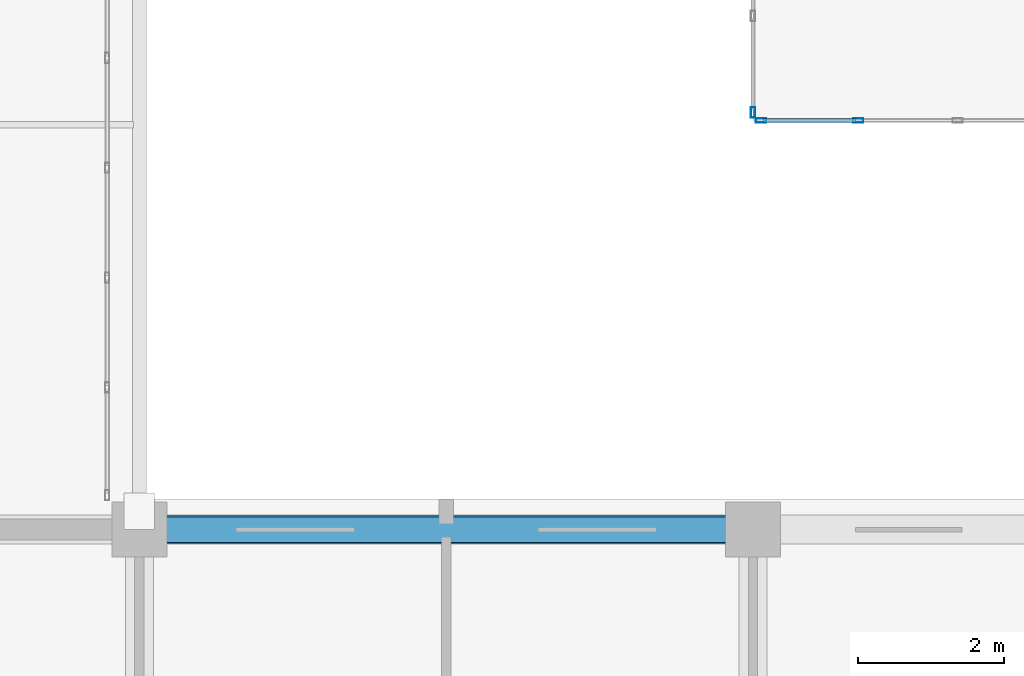
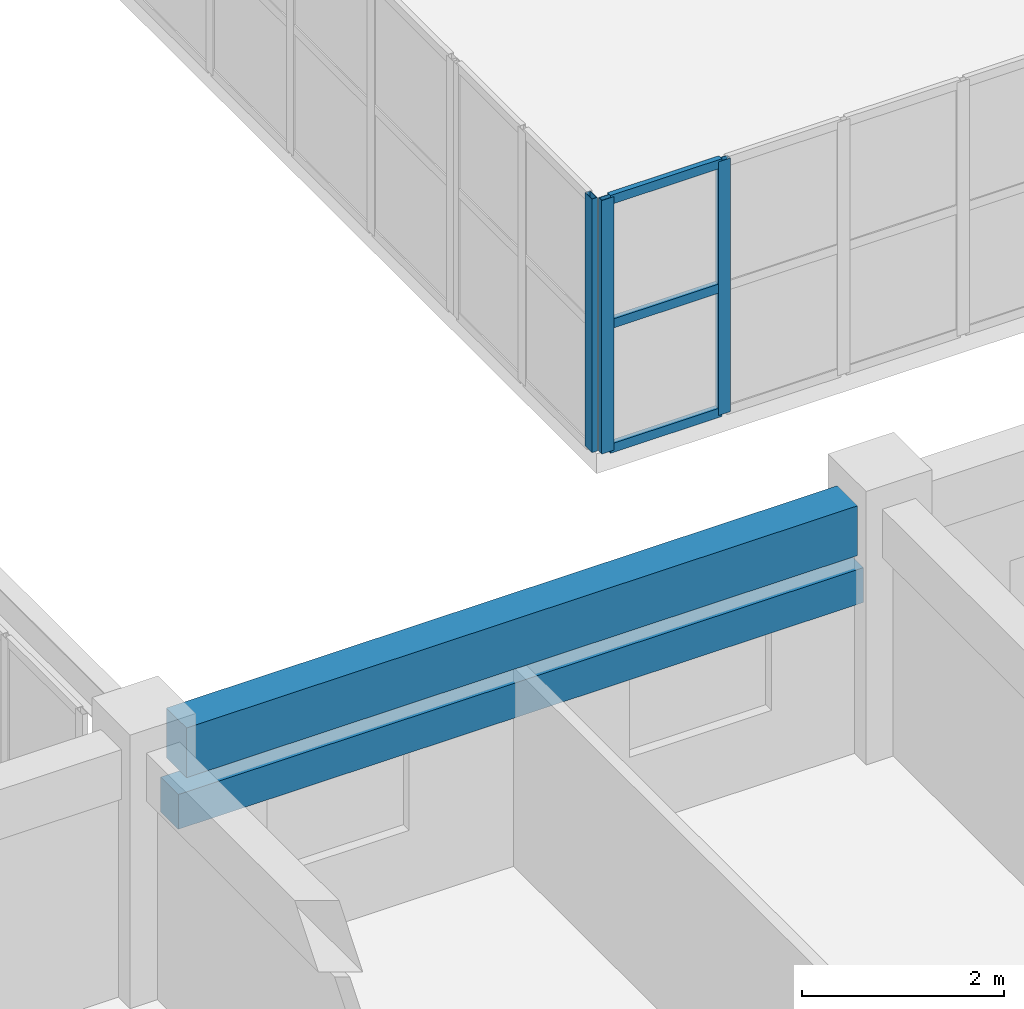
# One storey, part 51 of 200: 6 members, 2 beams, 2 elements without a shape of their own.
"""IFC4 building model written with IfcOpenShell, lengths in metres."""

from ifc_helpers import new_model, si_unit, direction, frame, origin, origin_2d, place, context, subcontext, project, spatial, rectangle, hollow_rectangle, extrude, material, layer, layer_set, material_profile, profile_set, type_object, element, aggregate, save


model = new_model("IFC4")

# Units and contexts
model_context = context("Model", 3, precision=1e-05, world=origin(), true_north=direction((0.0, 1.0)))
body_context = subcontext(model_context, "Body", "Model", "MODEL_VIEW")
ifc_project = project(units=[si_unit("LENGTHUNIT", "METRE"), si_unit("AREAUNIT", "SQUARE_METRE"), si_unit("VOLUMEUNIT", "CUBIC_METRE"), si_unit("PLANEANGLEUNIT", "RADIAN"), si_unit("MASSUNIT", "GRAM", prefix="KILO")], contexts=[model_context])

# Site, building, storey
site_placement = place(None, origin())
site = spatial("IfcSite", under=ifc_project, at=site_placement, CompositionType="ELEMENT")
building_placement = place(site_placement, origin())
building = spatial("IfcBuilding", under=site, at=building_placement, Name="Trelvath General Hospital", CompositionType="ELEMENT")
storey_placement = place(building_placement, frame((0.0, 0.0, 4.800048828125)))
storey = spatial("IfcBuildingStorey", under=building, at=storey_placement, Name="L01", CompositionType="ELEMENT", Elevation=4.800048828125)

# Beam
ifc_material_1 = material(Name="Concrete C35/45", Category="concrete")
ifc_material_profile_1 = material_profile(ifc_material_1, rectangle(XDim=0.39990234375, YDim=0.60009765625, at=origin_2d()), Name="RCB400x600")
ifc_profile_set_1 = profile_set([ifc_material_profile_1], Name="Concrete C35/45")
beam_type_1 = type_object("IfcBeamType", Name="Beam RC400x600", PredefinedType="BEAM", material=ifc_profile_set_1)
beam_1_placement = place(storey_placement, frame((84.3701171875, 25.199951171875, 2.719970703125), z_axis=(1.0, 0.0, 0.0), x_axis=(0.0, 1.0, 0.0)))
element("IfcBeam", 1, at=beam_1_placement, inside=storey, type_object=beam_type_1, Name="Grid Beam BX-110D", PredefinedType="BEAM", context=body_context, shape_type="SweptSolid", body=[
    extrude(rectangle(XDim=0.39990234375, YDim=0.60009765625, at=origin_2d()), origin(), (0.0, 0.0, 1.0), 7.659912109375),
])

# Curtain wall, members
ifc_material_2 = material(Name="Anodised aluminium and low-E glass", Category="aluminium")
ifc_layer_1 = layer(ifc_material_2, 0.14990234375)
ifc_layer_set_1 = layer_set([ifc_layer_1], Name="Anodised aluminium and low-E glass")
curtain_wall_type_1 = type_object("IfcCurtainWallType", Name="CW CrystalCube 817 306 15", PredefinedType="USERDEFINED", material=ifc_layer_set_1)
curtain_wall_1_placement = place(storey_placement, origin())
curtain_wall_1 = element("IfcCurtainWall", 2, at=curtain_wall_1_placement, inside=storey, type_object=curtain_wall_type_1, Name="Crystal Cube Curtain Wall CUBE-E-T0 S1 L01", ObjectType="Unitised Glazed Curtain Wall", PredefinedType="USERDEFINED")
ifc_material_3 = material(Name="Anodised aluminium", Category="aluminium")
ifc_material_profile_2 = material_profile(ifc_material_3, hollow_rectangle(XDim=0.06005859375, YDim=0.139892578125, WallThickness=0.00390625, at=origin_2d()), Name="RHS60x140x4")
ifc_profile_set_2 = profile_set([ifc_material_profile_2], Name="Anodised aluminium")
member_type_1 = type_object("IfcMemberType", Name="CurtainMullion 60x140", PredefinedType="MULLION", material=ifc_profile_set_2)
member_1_placement = place(storey_placement, frame((93.841552734375, 30.800048828125, 0.0), z_axis=(0.0, 0.0, 1.0), x_axis=(0.0, -1.0, 0.0)))
member_1 = element("IfcMember", 3, at=member_1_placement, type_object=member_type_1, Name="CW-150 mullion 6", PredefinedType="MULLION", context=body_context, shape_type="SweptSolid", body=[
    extrude(hollow_rectangle(XDim=0.06005859375, YDim=0.139892578125, WallThickness=0.00390625, at=origin_2d()), origin(), (0.0, 0.0, 1.0), 3.06005859375),
])
member_2_placement = place(storey_placement, frame((92.510009765625, 30.800048828125, 0.0), z_axis=(0.0, 0.0, 1.0), x_axis=(0.0, -1.0, 0.0)))
member_2 = element("IfcMember", 4, at=member_2_placement, type_object=member_type_1, Name="CW-150 mullion 7", PredefinedType="MULLION", context=body_context, shape_type="SweptSolid", body=[
    extrude(hollow_rectangle(XDim=0.06005859375, YDim=0.139892578125, WallThickness=0.00390625, at=origin_2d()), origin(), (0.0, 0.0, 1.0), 3.06005859375),
])

# Curtain wall, member
ifc_material_4 = material(Name="Anodised aluminium and low-E glass", Category="aluminium")
ifc_layer_2 = layer(ifc_material_4, 0.14990234375)
ifc_layer_set_2 = layer_set([ifc_layer_2], Name="Anodised aluminium and low-E glass")
curtain_wall_type_2 = type_object("IfcCurtainWallType", Name="CW CrystalCube 270 306 15", PredefinedType="USERDEFINED", material=ifc_layer_set_2)
curtain_wall_2_placement = place(storey_placement, origin())
curtain_wall_2 = element("IfcCurtainWall", 5, at=curtain_wall_2_placement, inside=storey, type_object=curtain_wall_type_2, Name="Crystal Cube Curtain Wall CUBE-E-T0 W1 L01", ObjectType="Unitised Glazed Curtain Wall", PredefinedType="USERDEFINED")
member_3_placement = place(storey_placement, frame((92.39990234375, 30.909912109375, 0.0), z_axis=(0.0, 0.0, 1.0), x_axis=(-1.0, 0.0, 0.0)))
member_3 = element("IfcMember", 6, at=member_3_placement, type_object=member_type_1, Name="CW-161 mullion 1", PredefinedType="MULLION", context=body_context, shape_type="SweptSolid", body=[
    extrude(hollow_rectangle(XDim=0.06005859375, YDim=0.139892578125, WallThickness=0.00390625, at=origin_2d()), origin(), (0.0, 0.0, 1.0), 3.06005859375),
])
aggregate(curtain_wall_2, [member_3])

# Member
ifc_material_5 = material(Name="Anodised aluminium", Category="aluminium")
ifc_material_profile_3 = material_profile(ifc_material_5, hollow_rectangle(XDim=0.06005859375, YDim=0.110107421875, WallThickness=0.00390625, at=origin_2d()), Name="RHS60x110x4")
ifc_profile_set_3 = profile_set([ifc_material_profile_3], Name="Anodised aluminium")
member_type_2 = type_object("IfcMemberType", Name="CurtainTransom 60x110", PredefinedType="USERDEFINED", material=ifc_profile_set_3)
member_4_placement = place(storey_placement, frame((93.811767578125, 30.800048828125, 0.030029296875), z_axis=(-1.0, 0.0, 0.0), x_axis=(0.0, -1.0, 0.0)))
member_4 = element("IfcMember", 7, at=member_4_placement, type_object=member_type_2, Name="CW-150 transom 6.1", ObjectType="TRANSOM", PredefinedType="USERDEFINED", context=body_context, shape_type="SweptSolid", body=[
    extrude(hollow_rectangle(XDim=0.06005859375, YDim=0.110107421875, WallThickness=0.00390625, at=origin_2d()), origin(), (0.0, 0.0, 1.0), 1.271728515625),
])

member_5_placement = place(storey_placement, frame((93.811767578125, 30.800048828125, 1.530029296875), z_axis=(-1.0, 0.0, 0.0), x_axis=(0.0, -1.0, 0.0)))
member_5 = element("IfcMember", 8, at=member_5_placement, type_object=member_type_2, Name="CW-150 transom 6.2", ObjectType="TRANSOM", PredefinedType="USERDEFINED", context=body_context, shape_type="SweptSolid", body=[
    extrude(hollow_rectangle(XDim=0.06005859375, YDim=0.110107421875, WallThickness=0.00390625, at=origin_2d()), origin(), (0.0, 0.0, 1.0), 1.271728515625),
])

member_6_placement = place(storey_placement, frame((93.811767578125, 30.800048828125, 3.030029296875), z_axis=(-1.0, 0.0, 0.0), x_axis=(0.0, -1.0, 0.0)))
member_6 = element("IfcMember", 9, at=member_6_placement, type_object=member_type_2, Name="CW-150 transom 6.3", ObjectType="TRANSOM", PredefinedType="USERDEFINED", context=body_context, shape_type="SweptSolid", body=[
    extrude(hollow_rectangle(XDim=0.06005859375, YDim=0.110107421875, WallThickness=0.00390625, at=origin_2d()), origin(), (0.0, 0.0, 1.0), 1.271728515625),
])

aggregate(curtain_wall_1, [member_1, member_2, member_4, member_5, member_6])

# Beam
ifc_material_6 = material(Name="Precast concrete C40/50", Category="concrete")
ifc_material_profile_4 = material_profile(ifc_material_6, rectangle(XDim=0.35009765625, YDim=0.419921875, at=origin_2d()), Name="PCL350x420")
ifc_profile_set_4 = profile_set([ifc_material_profile_4], Name="Precast concrete C40/50")
beam_type_2 = type_object("IfcBeamType", Name="Lintel PC350x420", PredefinedType="LINTEL", material=ifc_profile_set_4)
beam_2_placement = place(storey_placement, frame((84.2900390625, 25.199951171875, 2.02001953125), z_axis=(1.0, 0.0, 0.0), x_axis=(0.0, 1.0, 0.0)))
element("IfcBeam", 10, at=beam_2_placement, inside=storey, type_object=beam_type_2, Name="Precast Window Brow Lintel L01-164", PredefinedType="LINTEL", context=body_context, shape_type="SweptSolid", body=[
    extrude(rectangle(XDim=0.35009765625, YDim=0.419921875, at=origin_2d()), origin(), (0.0, 0.0, 1.0), 7.820068359375),
])

save(model, "model.ifc")
